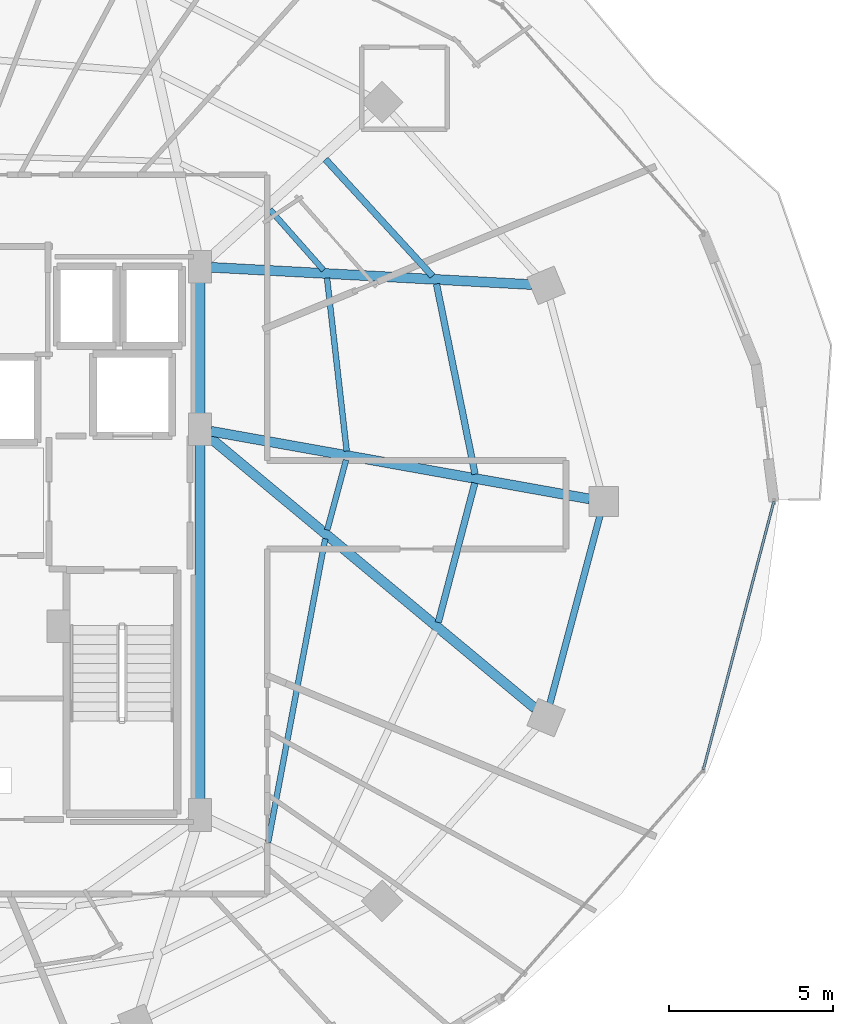
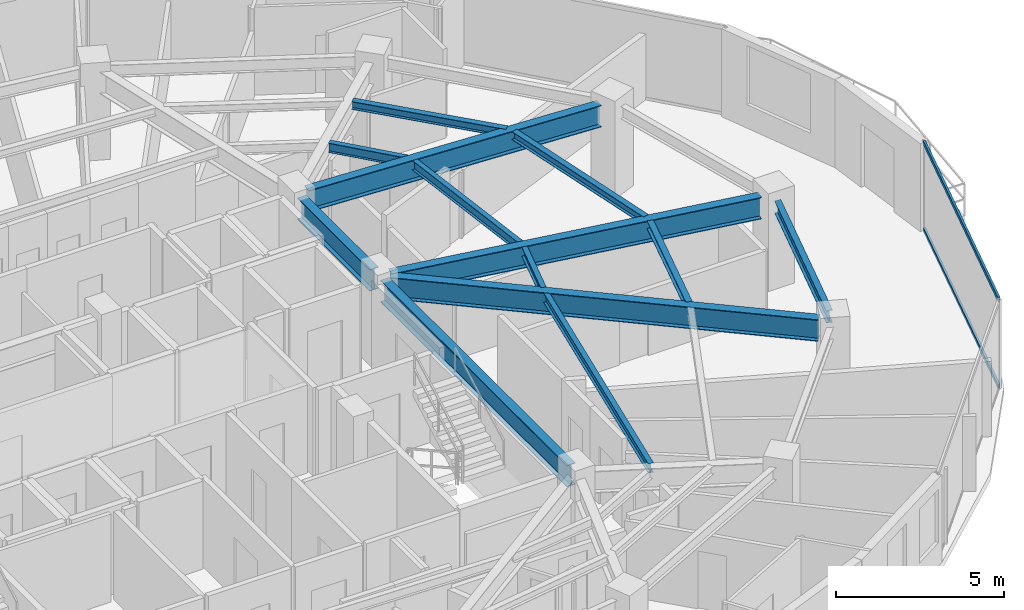
# One storey, part 14 of 33: 13 beams, 2 members, 1 element without a shape of its own.
"""IFC4 building model written with IfcOpenShell, lengths in metres."""

import ifcopenshell
import ifcopenshell.guid

model = None  # the IFC model being written
_history = None  # IfcOwnerHistory: only IFC2X3 demands one
_inside = {}  # id of a spatial element -> (the spatial element, [elements in it])
_under = {}  # id of a project, library or spatial element -> (it, [spatial elements below it])
_declared = {}  # id of a project -> (the project, [libraries it declares])
_typed = {}  # id of a type object -> (the type object, [elements of that type])
_made_of = {}  # id of a material, layer set ... -> (it, [elements and type objects made of it])


def new_model(schema):
    """Start an empty IFC model of exactly this schema.

    Asked for "IFC4X3", IfcOpenShell would pick the latest addendum, in which some entities
    have other attributes; the version numbers below select the first issue.
    IFC2X3 requires an IfcOwnerHistory on every rooted entity: one is made here for all.
    """
    global model, _history
    if schema == "IFC4X3":
        model = ifcopenshell.file(schema_version=(4, 3, 0, 0))
    else:
        model = ifcopenshell.file(schema=schema)
    _inside.clear()
    _under.clear()
    _declared.clear()
    _typed.clear()
    _made_of.clear()
    _history = None
    if model.schema == "IFC2X3":
        org = make("IfcOrganization", Name="unknown")
        user = make(
            "IfcPersonAndOrganization",
            ThePerson=make("IfcPerson", FamilyName="unknown"),
            TheOrganization=org,
        )
        app = make(
            "IfcApplication",
            ApplicationDeveloper=org,
            Version="unknown",
            ApplicationFullName="unknown",
            ApplicationIdentifier="unknown",
        )
        _history = make(
            "IfcOwnerHistory",
            OwningUser=user,
            OwningApplication=app,
            ChangeAction="ADDED",
            CreationDate=0,
        )
    return model


def make(cls, **values):
    """One entity of the class cls with the attributes given. An attribute that is None is left unset."""
    return model.create_entity(
        cls, **{name: value for name, value in values.items() if value is not None}
    )


def rooted(cls, **values):
    """An entity with a GlobalId (a new one), such as an element, a storey or a relation."""
    return make(cls, GlobalId=ifcopenshell.guid.new(), OwnerHistory=_history, **values)


def si_unit(unit_type, name, prefix=None):
    """IfcSIUnit, for example si_unit("LENGTHUNIT", "METRE", prefix="MILLI")."""
    return make("IfcSIUnit", UnitType=unit_type, Prefix=prefix, Name=name)


def assignment(units):
    """IfcUnitAssignment: the units of a project."""
    return None if units is None else make("IfcUnitAssignment", Units=units)


def point(xyz):
    """IfcCartesianPoint."""
    return None if xyz is None else make("IfcCartesianPoint", Coordinates=xyz)


def direction(xyz):
    """IfcDirection."""
    return None if xyz is None else make("IfcDirection", DirectionRatios=xyz)


def frame(location, z_axis=None, x_axis=None):
    """IfcAxis2Placement3D, a coordinate frame: its origin and axes. An axis left out is left unset."""
    return make(
        "IfcAxis2Placement3D",
        Location=point(location),
        Axis=direction(z_axis),
        RefDirection=direction(x_axis),
    )


def frame_2d(location, x_axis=None):
    """IfcAxis2Placement2D, a coordinate frame in the plane: its origin and x axis."""
    return make(
        "IfcAxis2Placement2D", Location=point(location), RefDirection=direction(x_axis)
    )


def origin():
    """The frame at (0, 0, 0) with its axes left unset."""
    return frame((0.0, 0.0, 0.0))


def origin_2d():
    """The frame at (0, 0) in the plane with its x axis left unset."""
    return frame_2d((0.0, 0.0))


def place(relative_to, where):
    """IfcLocalPlacement: puts the frame where relative to a parent placement (None: the world)."""
    return make(
        "IfcLocalPlacement", PlacementRelTo=relative_to, RelativePlacement=where
    )


def context(
    kind, dimensions, precision=None, world=None, true_north=None, identifier=None
):
    """IfcGeometricRepresentationContext, for example the 3D "Model" context."""
    return make(
        "IfcGeometricRepresentationContext",
        ContextIdentifier=identifier,
        ContextType=kind,
        CoordinateSpaceDimension=dimensions,
        Precision=precision,
        WorldCoordinateSystem=world,
        TrueNorth=true_north,
    )


def subcontext(parent, identifier, kind, view, scale=None):
    """IfcGeometricRepresentationSubContext, for example "Body" below "Model"."""
    return make(
        "IfcGeometricRepresentationSubContext",
        ContextIdentifier=identifier,
        ContextType=kind,
        ParentContext=parent,
        TargetScale=scale,
        TargetView=view,
    )


def project(units=None, contexts=None):
    """IfcProject with its units and contexts."""
    return rooted(
        "IfcProject",
        Name="project",
        RepresentationContexts=contexts,
        UnitsInContext=assignment(units),
    )


def spatial(cls, under=None, at=None, **own):
    """A site, building, storey or space (cls), placed at a placement, below another one or the project."""
    s = rooted(cls, ObjectPlacement=at, **own)
    if under is not None:
        _under.setdefault(under.id(), (under, []))[1].append(s)
    return s


def profile(cls, at=None, kind="AREA", **sizes):
    """A parametric profile (cls). Its sizes go by their IFC names, for example OverallWidth=200.0."""
    return make(cls, ProfileType=kind, Position=at, **sizes)


def hollow_rectangle(**sizes):
    """IfcRectangleHollowProfileDef."""
    return profile("IfcRectangleHollowProfileDef", **sizes)


def i_section(**sizes):
    """IfcIShapeProfileDef."""
    return profile("IfcIShapeProfileDef", **sizes)


def extrude(swept, where, along, depth):
    """IfcExtrudedAreaSolid: the profile swept, set in the frame where, extruded along a direction by depth."""
    return make(
        "IfcExtrudedAreaSolid",
        SweptArea=swept,
        Position=where,
        ExtrudedDirection=direction(along),
        Depth=depth,
    )


def shape(context_of_items, identifier, shape_type, items):
    """IfcShapeRepresentation: the items that make up one representation, for example the "Body"."""
    return make(
        "IfcShapeRepresentation",
        ContextOfItems=context_of_items,
        RepresentationIdentifier=identifier,
        RepresentationType=shape_type,
        Items=items,
    )


def material(Name=None, Category=None):
    """IfcMaterial."""
    return make("IfcMaterial", Name=Name, Category=Category)


def material_profile(
    of_material, cross_section, Name=None, Category=None, Priority=None
):
    """IfcMaterialProfile: a cross section and its material."""
    return make(
        "IfcMaterialProfile",
        Name=Name,
        Material=of_material,
        Profile=cross_section,
        Priority=Priority,
        Category=Category,
    )


def profile_set(profiles, Name=None, composite=None):
    """IfcMaterialProfileSet."""
    return make(
        "IfcMaterialProfileSet",
        Name=Name,
        MaterialProfiles=profiles,
        CompositeProfile=composite,
    )


def made_of(thing, what):
    """Note that an element or type object is made of a material, layer set ...; save() writes the relation."""
    if what is not None:
        _made_of.setdefault(what.id(), (what, []))[1].append(thing)
    return thing


def type_object(cls, material=None, **own):
    """A type object (cls), such as IfcWallType, which elements share."""
    return made_of(rooted(cls, **own), material)


def element(
    cls,
    number,
    at=None,
    inside=None,
    cuts=None,
    type_object=None,
    material=None,
    context=None,
    identifier="Body",
    shape_type=None,
    held_by="IfcProductDefinitionShape",
    body=None,
    shapes=None,
    **own,
):
    """One element of the class cls, such as IfcWall. Its Tag is "e" and its number.

    at: its placement. inside: the storey or other place that contains it. cuts: it is an
    opening in that element (IfcRelVoidsElement). A single representation is given by context,
    identifier, shape_type and body (its items); several are given by shapes. held_by: the class
    of the entity that holds the representations. save() writes the other relations.
    """
    e = rooted(cls, Tag="e%d" % number, ObjectPlacement=at, **own)
    if body is not None:
        shapes = [shape(context, identifier, shape_type, body)]
    if shapes is not None:
        e.Representation = make(held_by, Representations=shapes)
    if inside is not None:
        _inside.setdefault(inside.id(), (inside, []))[1].append(e)
    if cuts is not None:
        rooted(
            "IfcRelVoidsElement", RelatingBuildingElement=cuts, RelatedOpeningElement=e
        )
    if type_object is not None:
        _typed.setdefault(type_object.id(), (type_object, []))[1].append(e)
    return made_of(e, material)


def aggregate(whole, parts):
    """IfcRelAggregates: a whole, such as a stair, and the parts it consists of."""
    return rooted("IfcRelAggregates", RelatingObject=whole, RelatedObjects=parts)


def save(model, path):
    """Write the relations noted so far, then the file.

    IfcRelAggregates (storeys below a building ...), IfcRelContainedInSpatialStructure (elements
    in a storey), IfcRelDefinesByType, IfcRelAssociatesMaterial and IfcRelDeclares: one each for
    every whole, place, type object, material and project.
    """
    for whole, parts in _under.values():
        aggregate(whole, parts)
    for where, things in _inside.values():
        rooted(
            "IfcRelContainedInSpatialStructure",
            RelatedElements=things,
            RelatingStructure=where,
        )
    for kind, things in _typed.values():
        rooted("IfcRelDefinesByType", RelatedObjects=things, RelatingType=kind)
    for what, things in _made_of.values():
        rooted("IfcRelAssociatesMaterial", RelatedObjects=things, RelatingMaterial=what)
    for by, libraries in _declared.values():
        rooted("IfcRelDeclares", RelatingContext=by, RelatedDefinitions=libraries)
    model.write(path)


model = new_model("IFC4")

# Units and contexts
model_context = context("Model", 3, precision=1e-05, world=origin(), true_north=direction((0.0, 1.0)))
body_context = subcontext(model_context, "Body", "Model", "MODEL_VIEW")
ifc_project = project(units=[si_unit("LENGTHUNIT", "METRE"), si_unit("AREAUNIT", "SQUARE_METRE"), si_unit("VOLUMEUNIT", "CUBIC_METRE"), si_unit("PLANEANGLEUNIT", "RADIAN"), si_unit("MASSUNIT", "GRAM", prefix="KILO")], contexts=[model_context])

# Site, building, storey
site_placement = place(None, origin())
site = spatial("IfcSite", under=ifc_project, at=site_placement, CompositionType="ELEMENT")
building_placement = place(site_placement, origin())
building = spatial("IfcBuilding", under=site, at=building_placement, Name="Vorneva Point Tower", CompositionType="ELEMENT")
storey_placement = place(building_placement, frame((0.0, 0.0, 221.39990234375)))
storey = spatial("IfcBuildingStorey", under=building, at=storey_placement, Name="L60", CompositionType="ELEMENT", Elevation=221.39990234375)

# Beams
ifc_material_1 = material(Name="Steel S355", Category="steel")
ifc_material_profile_1 = material_profile(ifc_material_1, i_section(OverallWidth=0.300048828125, OverallDepth=0.7880859375, WebThickness=0.014404296875, FlangeThickness=0.02197265625, at=origin_2d()), Name="80Sh1")
ifc_profile_set_1 = profile_set([ifc_material_profile_1], Name="Steel S355")
beam_type_1 = type_object("IfcBeamType", Name="BM-GRD-80Sh1", PredefinedType="USERDEFINED", material=ifc_profile_set_1)
beam_1_placement = place(storey_placement, frame((60.618896484375, 26.0771484375, 2.80615234375), z_axis=(-0.984378602255, 0.176064668298, 0.0), x_axis=(-0.176064668298, -0.984378602255, 0.0)))
element("IfcBeam", 1, at=beam_1_placement, inside=storey, type_object=beam_type_1, Name="L60 Radial Primary Girder 01", ObjectType="GIRDER", PredefinedType="USERDEFINED", context=body_context, shape_type="SweptSolid", body=[
    extrude(i_section(OverallWidth=0.300048828125, OverallDepth=0.7880859375, WebThickness=0.014404296875, FlangeThickness=0.02197265625, at=origin_2d()), origin(), (0.0, 0.0, 1.0), 11.71728515625),
])
beam_2_placement = place(storey_placement, frame((58.85791015625, 32.605712890625, 2.80615234375), z_axis=(-0.998554028182, 0.053757351146, 0.0), x_axis=(-0.053757351146, -0.998554028182, 0.0)))
element("IfcBeam", 2, at=beam_2_placement, inside=storey, type_object=beam_type_1, Name="L60 Radial Primary Girder 02", ObjectType="GIRDER", PredefinedType="USERDEFINED", context=body_context, shape_type="SweptSolid", body=[
    extrude(i_section(OverallWidth=0.300048828125, OverallDepth=0.7880859375, WebThickness=0.014404296875, FlangeThickness=0.02197265625, at=origin_2d()), origin(), (0.0, 0.0, 1.0), 9.782470703125),
])
beam_3_placement = place(storey_placement, frame((58.958740234375, 19.697998046875, 2.80615234375), z_axis=(-0.768417564517, 0.639948784311, 0.0), x_axis=(-0.639948784311, -0.768417564517, 0.0)))
element("IfcBeam", 3, at=beam_3_placement, inside=storey, type_object=beam_type_1, Name="L60 Radial Primary Girder 16", ObjectType="GIRDER", PredefinedType="USERDEFINED", context=body_context, shape_type="SweptSolid", body=[
    extrude(i_section(OverallWidth=0.300048828125, OverallDepth=0.7880859375, WebThickness=0.014404296875, FlangeThickness=0.02197265625, at=origin_2d()), origin(), (0.0, 0.0, 1.0), 12.945556640625),
])
beam_4_placement = place(storey_placement, frame((48.75, 16.77001953125, 2.80615234375), z_axis=(0.0, 1.0, 0.0), x_axis=(-1.0, 0.0, 0.0)))
element("IfcBeam", 4, at=beam_4_placement, inside=storey, type_object=beam_type_1, Name="L60 Core Tie Girder CT3", ObjectType="GIRDER", PredefinedType="USERDEFINED", context=body_context, shape_type="SweptSolid", body=[
    extrude(i_section(OverallWidth=0.300048828125, OverallDepth=0.7880859375, WebThickness=0.014404296875, FlangeThickness=0.02197265625, at=origin_2d()), origin(), (0.0, 0.0, 1.0), 11.10986328125),
])
beam_5_placement = place(storey_placement, frame((48.75, 28.52001953125, 2.80615234375), z_axis=(0.0, 1.0, 0.0), x_axis=(-1.0, 0.0, 0.0)))
element("IfcBeam", 5, at=beam_5_placement, inside=storey, type_object=beam_type_1, Name="L60 Core Tie Girder CT4", ObjectType="GIRDER", PredefinedType="USERDEFINED", context=body_context, shape_type="SweptSolid", body=[
    extrude(i_section(OverallWidth=0.300048828125, OverallDepth=0.7880859375, WebThickness=0.014404296875, FlangeThickness=0.02197265625, at=origin_2d()), origin(), (0.0, 0.0, 1.0), 4.31005859375),
])
ifc_material_profile_2 = material_profile(ifc_material_1, i_section(OverallWidth=0.199951171875, OverallDepth=0.291015625, WebThickness=0.008056640625, FlangeThickness=0.010986328125, at=origin_2d()), Name="30Sh1")
ifc_profile_set_2 = profile_set([ifc_material_profile_2], Name="Steel S355")
beam_type_2 = type_object("IfcBeamType", Name="BM-SEC-30Sh1", PredefinedType="BEAM", material=ifc_profile_set_2)
beam_6_placement = place(storey_placement, frame((57.131103515625, 26.831298828125, 3.0546875), z_axis=(-0.198853680305, 0.980029190294, 0.0), x_axis=(-0.980029190294, -0.198853680305, 0.0)))
element("IfcBeam", 6, at=beam_6_placement, inside=storey, type_object=beam_type_2, Name="L60 Secondary Floor Beam 1.01", PredefinedType="BEAM", context=body_context, shape_type="SweptSolid", body=[
    extrude(i_section(OverallWidth=0.199951171875, OverallDepth=0.291015625, WebThickness=0.008056640625, FlangeThickness=0.010986328125, at=origin_2d()), origin(), (0.0, 0.0, 1.0), 5.915283203125),
])
beam_7_placement = place(storey_placement, frame((55.834228515625, 32.865234375, 3.0546875), z_axis=(-0.675759017991, 0.73712261504, 0.0), x_axis=(-0.73712261504, -0.675759017991, 0.0)))
element("IfcBeam", 7, at=beam_7_placement, inside=storey, type_object=beam_type_2, Name="L60 Secondary Floor Beam 1.02", PredefinedType="BEAM", context=body_context, shape_type="SweptSolid", body=[
    extrude(i_section(OverallWidth=0.199951171875, OverallDepth=0.291015625, WebThickness=0.008056640625, FlangeThickness=0.010986328125, at=origin_2d()), origin(), (0.0, 0.0, 1.0), 4.822021484375),
])
beam_8_placement = place(storey_placement, frame((56.009521484375, 22.31689453125, 3.0546875), z_axis=(0.253800559938, 0.967256571844, 0.0), x_axis=(-0.967256571844, 0.253800559938, 0.0)))
element("IfcBeam", 8, at=beam_8_placement, inside=storey, type_object=beam_type_2, Name="L60 Secondary Floor Beam 1.16", PredefinedType="BEAM", context=body_context, shape_type="SweptSolid", body=[
    extrude(i_section(OverallWidth=0.199951171875, OverallDepth=0.291015625, WebThickness=0.008056640625, FlangeThickness=0.010986328125, at=origin_2d()), origin(), (0.0, 0.0, 1.0), 4.389404296875),
])
ifc_material_profile_3 = material_profile(ifc_material_1, i_section(OverallWidth=0.174072265625, OverallDepth=0.345947265625, WebThickness=0.006103515625, FlangeThickness=0.009033203125, at=origin_2d()), Name="35B1")
ifc_profile_set_3 = profile_set([ifc_material_profile_3], Name="Steel S355")
beam_type_3 = type_object("IfcBeamType", Name="BM-SEC-35B1", PredefinedType="BEAM", material=ifc_profile_set_3)
beam_9_placement = place(storey_placement, frame((53.221435546875, 27.534423828125, 3.027099609375), z_axis=(-0.113032571733, 0.993591283037, 0.0), x_axis=(-0.993591283037, -0.113032571733, 0.0)))
element("IfcBeam", 9, at=beam_9_placement, inside=storey, type_object=beam_type_3, Name="L60 Secondary Floor Beam 2.01", PredefinedType="BEAM", context=body_context, shape_type="SweptSolid", body=[
    extrude(i_section(OverallWidth=0.174072265625, OverallDepth=0.345947265625, WebThickness=0.006103515625, FlangeThickness=0.009033203125, at=origin_2d()), origin(), (0.0, 0.0, 1.0), 5.3046875),
])
beam_10_placement = place(storey_placement, frame((52.514892578125, 33.045654296875, 3.027099609375), z_axis=(-0.662362143704, 0.749183816288, 0.0), x_axis=(-0.749183816288, -0.662362143704, 0.0)))
element("IfcBeam", 10, at=beam_10_placement, inside=storey, type_object=beam_type_3, Name="L60 Secondary Floor Beam 2.02", PredefinedType="BEAM", context=body_context, shape_type="SweptSolid", body=[
    extrude(i_section(OverallWidth=0.174072265625, OverallDepth=0.345947265625, WebThickness=0.006103515625, FlangeThickness=0.009033203125, at=origin_2d()), origin(), (0.0, 0.0, 1.0), 2.46337890625),
])
beam_11_placement = place(storey_placement, frame((50.827392578125, 15.61962890625, 3.027099609375), z_axis=(0.184913715459, 0.982754759762, 0.0), x_axis=(-0.982754759762, 0.184913715459, 0.0)))
element("IfcBeam", 11, at=beam_11_placement, inside=storey, type_object=beam_type_3, Name="L60 Secondary Floor Beam 2.15", PredefinedType="BEAM", context=body_context, shape_type="SweptSolid", body=[
    extrude(i_section(OverallWidth=0.174072265625, OverallDepth=0.345947265625, WebThickness=0.006103515625, FlangeThickness=0.009033203125, at=origin_2d()), origin(), (0.0, 0.0, 1.0), 9.406982421875),
])
beam_12_placement = place(storey_placement, frame((52.628173828125, 25.13330078125, 3.027099609375), z_axis=(0.259679836989, 0.965694766612, 0.0), x_axis=(-0.965694766612, 0.259679836989, 0.0)))
element("IfcBeam", 12, at=beam_12_placement, inside=storey, type_object=beam_type_3, Name="L60 Secondary Floor Beam 2.16", PredefinedType="BEAM", context=body_context, shape_type="SweptSolid", body=[
    extrude(i_section(OverallWidth=0.174072265625, OverallDepth=0.345947265625, WebThickness=0.006103515625, FlangeThickness=0.009033203125, at=origin_2d()), origin(), (0.0, 0.0, 1.0), 2.20654296875),
])
ifc_material_profile_4 = material_profile(ifc_material_1, i_section(OverallWidth=0.198974609375, OverallDepth=0.446044921875, WebThickness=0.008056640625, FlangeThickness=0.011962890625, at=origin_2d()), Name="45B1")
ifc_profile_set_4 = profile_set([ifc_material_profile_4], Name="Steel S355")
beam_type_4 = type_object("IfcBeamType", Name="BM-SPN-45B1", PredefinedType="SPANDREL", material=ifc_profile_set_4)
beam_13_placement = place(storey_placement, frame((59.407470703125, 19.838134765625, 2.97705078125), z_axis=(0.257578258003, 0.966257440336, 0.0), x_axis=(-0.966257440336, 0.257578258003, 0.0)))
element("IfcBeam", 13, at=beam_13_placement, inside=storey, type_object=beam_type_4, Name="L60 Perimeter Spandrel Ring Beam 16", PredefinedType="SPANDREL", context=body_context, shape_type="SweptSolid", body=[
    extrude(i_section(OverallWidth=0.198974609375, OverallDepth=0.446044921875, WebThickness=0.008056640625, FlangeThickness=0.011962890625, at=origin_2d()), origin(), (0.0, 0.0, 1.0), 5.94189453125),
])

# Curtain wall, members
ifc_material_2 = material(Name="Pale anodised aluminium", Category="aluminium")
curtain_wall_type = type_object("IfcCurtainWallType", Name="CW-RES-SYS", PredefinedType="NOTDEFINED", material=ifc_material_2)
curtain_wall_placement = place(storey_placement, origin())
curtain_wall = element("IfcCurtainWall", 14, at=curtain_wall_placement, inside=storey, type_object=curtain_wall_type, Name="L60 Unitised Curtain Wall CW-L60-R04", PredefinedType="NOTDEFINED")
ifc_material_profile_5 = material_profile(ifc_material_2, hollow_rectangle(XDim=0.074951171875, YDim=0.14990234375, WallThickness=0.00390625, at=origin_2d()), Name="AL-TRN 150x75x4")
ifc_profile_set_5 = profile_set([ifc_material_profile_5], Name="Pale anodised aluminium")
member_type = type_object("IfcMemberType", Name="CW-TRN-150", PredefinedType="USERDEFINED", material=ifc_profile_set_5)
member_1_placement = place(storey_placement, frame((64.0810546875, 17.82958984375, 0.02001953125), z_axis=(0.254362431281, 0.967108966742, 0.0), x_axis=(-0.967108966742, 0.254362431281, 0.0)))
member_1 = element("IfcMember", 15, at=member_1_placement, type_object=member_type, Name="CW-L60-R04 Transom 02.1", ObjectType="TRANSOM", PredefinedType="USERDEFINED", context=body_context, shape_type="SweptSolid", body=[
    extrude(hollow_rectangle(XDim=0.074951171875, YDim=0.14990234375, WallThickness=0.00390625, at=origin_2d()), origin(), (0.0, 0.0, 1.0), 8.4482421875),
])
member_2_placement = place(storey_placement, frame((64.0810546875, 17.82958984375, 3.18017578125), z_axis=(0.254362431281, 0.967108966742, 0.0), x_axis=(-0.967108966742, 0.254362431281, 0.0)))
member_2 = element("IfcMember", 16, at=member_2_placement, type_object=member_type, Name="CW-L60-R04 Transom 02.2", ObjectType="TRANSOM", PredefinedType="USERDEFINED", context=body_context, shape_type="SweptSolid", body=[
    extrude(hollow_rectangle(XDim=0.074951171875, YDim=0.14990234375, WallThickness=0.00390625, at=origin_2d()), origin(), (0.0, 0.0, 1.0), 8.4482421875),
])
aggregate(curtain_wall, [member_1, member_2])

save(model, "model.ifc")
